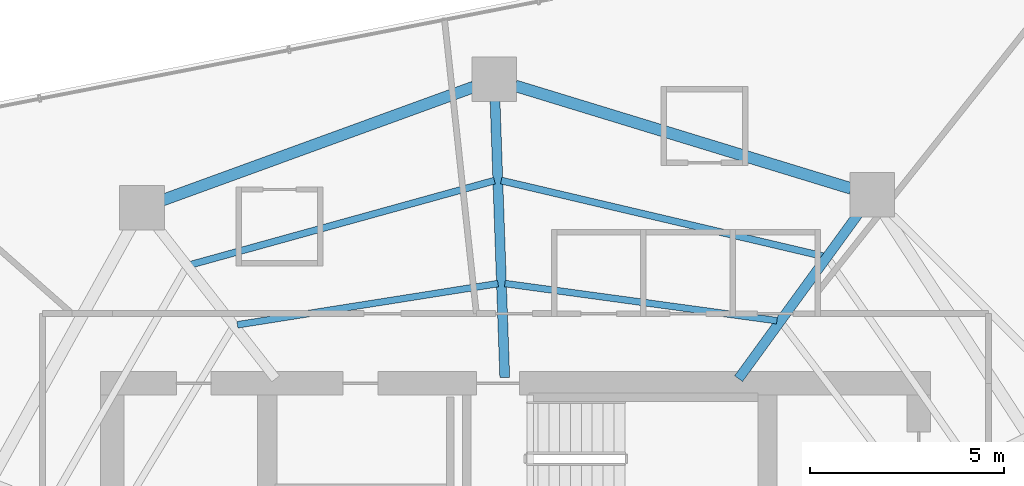
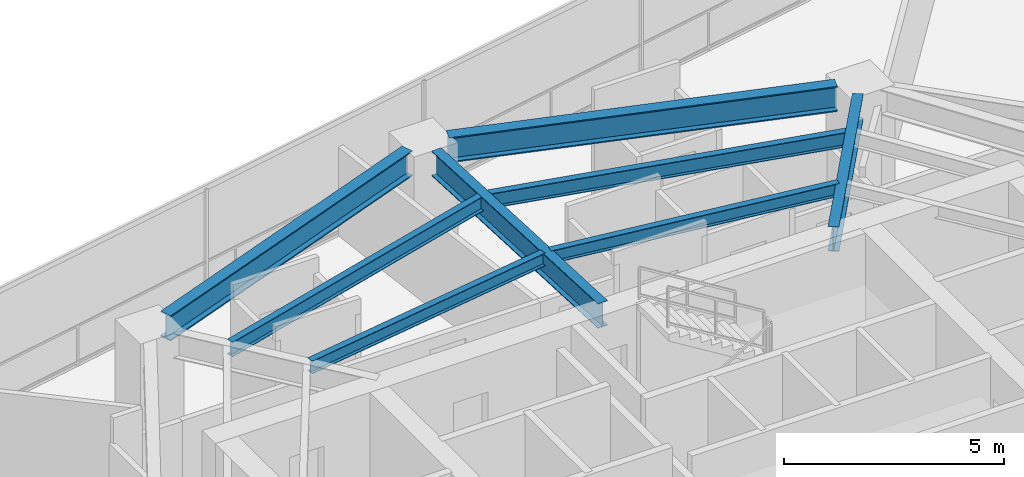
# One storey, part 16 of 27: 8 beams.
"""IFC4 building model written with IfcOpenShell, lengths in metres."""

from ifc_helpers import new_model, si_unit, direction, frame, origin, origin_2d, place, context, subcontext, project, spatial, i_section, extrude, material, material_profile, profile_set, type_object, element, save


model = new_model("IFC4")

# Units and contexts
model_context = context("Model", 3, precision=1e-05, world=origin(), true_north=direction((0.0, 1.0)))
body_context = subcontext(model_context, "Body", "Model", "MODEL_VIEW")
ifc_project = project(units=[si_unit("LENGTHUNIT", "METRE"), si_unit("AREAUNIT", "SQUARE_METRE"), si_unit("VOLUMEUNIT", "CUBIC_METRE"), si_unit("PLANEANGLEUNIT", "RADIAN"), si_unit("MASSUNIT", "GRAM", prefix="KILO")], contexts=[model_context])

# Site, building, storey
site_placement = place(None, origin())
site = spatial("IfcSite", under=ifc_project, at=site_placement, CompositionType="ELEMENT")
building_placement = place(site_placement, origin())
building = spatial("IfcBuilding", under=site, at=building_placement, Name="Qarnah Convention Tower", CompositionType="ELEMENT")
storey_placement = place(building_placement, frame((0.0, 0.0, 107.39990234375)))
storey = spatial("IfcBuildingStorey", under=building, at=storey_placement, Name="L28", CompositionType="ELEMENT", Elevation=107.39990234375)

# Beams
ifc_material = material(Name="Structural steel S355JR", Category="steel")
ifc_material_profile_1 = material_profile(ifc_material, i_section(OverallWidth=0.172119140625, OverallDepth=0.35595703125, WebThickness=0.007080078125, FlangeThickness=0.011962890625, at=origin_2d()), Name="W360X51")
ifc_profile_set_1 = profile_set([ifc_material_profile_1], Name="Structural steel S355JR")
beam_type_1 = type_object("IfcBeamType", Name="BM-JST-W360", PredefinedType="JOIST", material=ifc_profile_set_1)
beam_1_placement = place(storey_placement, frame((43.944091796875, 35.81591796875, 2.9921875), z_axis=(-0.99079026903, 0.135405475498, 0.0), x_axis=(-0.135405475498, -0.99079026903, 0.0)))
element("IfcBeam", 1, at=beam_1_placement, inside=storey, type_object=beam_type_1, Name="L28 joist BM-L28-IJST-02", PredefinedType="JOIST", context=body_context, shape_type="SweptSolid", body=[
    extrude(i_section(OverallWidth=0.172119140625, OverallDepth=0.35595703125, WebThickness=0.007080078125, FlangeThickness=0.011962890625, at=origin_2d()), origin(), (0.0, 0.0, 1.0), 7.082275390625),
])
beam_2_placement = place(storey_placement, frame((36.7490234375, 36.77294921875, 2.9921875), z_axis=(-0.987730371852, -0.156168858996, 0.0), x_axis=(0.156168858996, -0.987730371852, 0.0)))
element("IfcBeam", 2, at=beam_2_placement, inside=storey, type_object=beam_type_1, Name="L28 joist BM-L28-IJST-03", PredefinedType="JOIST", context=body_context, shape_type="SweptSolid", body=[
    extrude(i_section(OverallWidth=0.172119140625, OverallDepth=0.35595703125, WebThickness=0.007080078125, FlangeThickness=0.011962890625, at=origin_2d()), origin(), (0.0, 0.0, 1.0), 6.806640625),
])
ifc_material_profile_2 = material_profile(ifc_material, i_section(OverallWidth=0.177978515625, OverallDepth=0.407958984375, WebThickness=0.008056640625, FlangeThickness=0.012939453125, at=origin_2d()), Name="W410X60")
ifc_profile_set_2 = profile_set([ifc_material_profile_2], Name="Structural steel S355JR")
beam_type_2 = type_object("IfcBeamType", Name="BM-JST-W410", PredefinedType="JOIST", material=ifc_profile_set_2)
beam_3_placement = place(storey_placement, frame((45.14501953125, 37.47802734375, 2.966064453125), z_axis=(-0.973473006102, 0.228801893328, 0.0), x_axis=(-0.228801893328, -0.973473006102, 0.0)))
element("IfcBeam", 3, at=beam_3_placement, inside=storey, type_object=beam_type_2, Name="L28 joist BM-L28-SJST-02", PredefinedType="JOIST", context=body_context, shape_type="SweptSolid", body=[
    extrude(i_section(OverallWidth=0.177978515625, OverallDepth=0.407958984375, WebThickness=0.008056640625, FlangeThickness=0.012939453125, at=origin_2d()), origin(), (0.0, 0.0, 1.0), 8.53955078125),
])
beam_4_placement = place(storey_placement, frame((36.656982421875, 39.428955078125, 2.966064453125), z_axis=(-0.963761857739, -0.266764093474, 0.0), x_axis=(0.266764093474, -0.963761857739, 0.0)))
element("IfcBeam", 4, at=beam_4_placement, inside=storey, type_object=beam_type_2, Name="L28 joist BM-L28-SJST-03", PredefinedType="JOIST", context=body_context, shape_type="SweptSolid", body=[
    extrude(i_section(OverallWidth=0.177978515625, OverallDepth=0.407958984375, WebThickness=0.008056640625, FlangeThickness=0.012939453125, at=origin_2d()), origin(), (0.0, 0.0, 1.0), 8.130615234375),
])
ifc_material_profile_3 = material_profile(ifc_material, i_section(OverallWidth=0.25390625, OverallDepth=0.68798828125, WebThickness=0.012939453125, FlangeThickness=0.02099609375, at=origin_2d()), Name="W690X152")
ifc_profile_set_3 = profile_set([ifc_material_profile_3], Name="Structural steel S355JR")
beam_type_3 = type_object("IfcBeamType", Name="BM-RAD-W690", PredefinedType="BEAM", material=ifc_profile_set_3)
beam_5_placement = place(storey_placement, frame((42.955078125, 34.321044921875, 2.826171875), z_axis=(0.587824069471, 0.808988790621, 0.0), x_axis=(-0.808988790621, 0.587824069471, 0.0)))
element("IfcBeam", 5, at=beam_5_placement, inside=storey, type_object=beam_type_3, Name="L28 beam BM-L28-RAD-02", PredefinedType="BEAM", context=body_context, shape_type="SweptSolid", body=[
    extrude(i_section(OverallWidth=0.25390625, OverallDepth=0.68798828125, WebThickness=0.012939453125, FlangeThickness=0.02099609375, at=origin_2d()), origin(), (0.0, 0.0, 1.0), 5.30419921875),
])
beam_6_placement = place(storey_placement, frame((36.923095703125, 34.35009765625, 2.826171875), z_axis=(-0.035017005912, 0.99938671659, 0.0), x_axis=(-0.99938671659, -0.035017005912, 0.0)))
element("IfcBeam", 6, at=beam_6_placement, inside=storey, type_object=beam_type_3, Name="L28 beam BM-L28-RAD-03", PredefinedType="BEAM", context=body_context, shape_type="SweptSolid", body=[
    extrude(i_section(OverallWidth=0.25390625, OverallDepth=0.68798828125, WebThickness=0.012939453125, FlangeThickness=0.02099609375, at=origin_2d()), origin(), (0.0, 0.0, 1.0), 7.139404296875),
])
ifc_material_profile_4 = material_profile(ifc_material, i_section(OverallWidth=0.300048828125, OverallDepth=0.699951171875, WebThickness=0.01708984375, FlangeThickness=0.031982421875, at=origin_2d()), Name="HEB700")
ifc_profile_set_4 = profile_set([ifc_material_profile_4], Name="Structural steel S355JR")
beam_type_4 = type_object("IfcBeamType", Name="BM-RING-HEB700", PredefinedType="BEAM", material=ifc_profile_set_4)
beam_7_placement = place(storey_placement, frame((45.85888671875, 39.22607421875, 2.820068359375), z_axis=(-0.956309936148, 0.292354760565, 0.0), x_axis=(-0.292354760565, -0.956309936148, 0.0)))
element("IfcBeam", 7, at=beam_7_placement, inside=storey, type_object=beam_type_4, Name="L28 beam BM-L28-SPN-02", PredefinedType="BEAM", context=body_context, shape_type="SweptSolid", body=[
    extrude(i_section(OverallWidth=0.300048828125, OverallDepth=0.699951171875, WebThickness=0.01708984375, FlangeThickness=0.031982421875, at=origin_2d()), origin(), (0.0, 0.0, 1.0), 9.060546875),
])
beam_8_placement = place(storey_placement, frame((36.123046875, 41.846923828125, 2.820068359375), z_axis=(-0.939683226771, -0.342045952067, 0.0), x_axis=(0.342045952067, -0.939683226771, 0.0)))
element("IfcBeam", 8, at=beam_8_placement, inside=storey, type_object=beam_type_4, Name="L28 beam BM-L28-SPN-03", PredefinedType="BEAM", context=body_context, shape_type="SweptSolid", body=[
    extrude(i_section(OverallWidth=0.300048828125, OverallDepth=0.699951171875, WebThickness=0.01708984375, FlangeThickness=0.031982421875, at=origin_2d()), origin(), (0.0, 0.0, 1.0), 8.542236328125),
])

save(model, "model.ifc")
